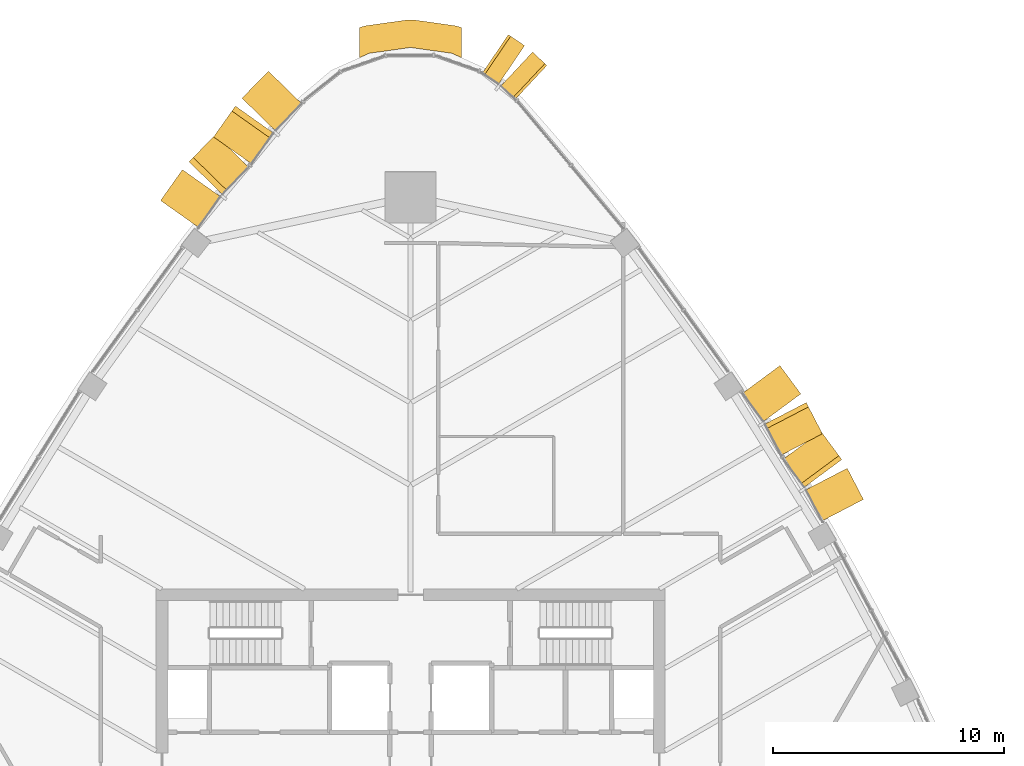
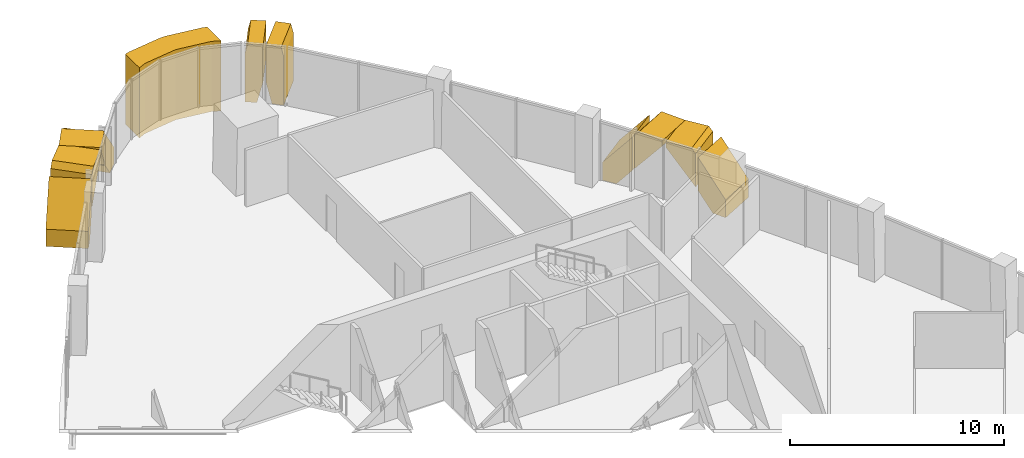
# One storey, part 17 of 18: 11 coverings.
"""IFC4 building model written with IfcOpenShell, lengths in metres."""

from ifc_helpers import new_model, si_unit, direction, frame, origin, place, context, subcontext, project, spatial, polyline, outline, extrude, material, layer, layer_set, type_object, element, save


model = new_model("IFC4")

# Units and contexts
model_context = context("Model", 3, precision=1e-05, world=origin(), true_north=direction((0.0, 1.0)))
body_context = subcontext(model_context, "Body", "Model", "MODEL_VIEW")
ifc_project = project(units=[si_unit("LENGTHUNIT", "METRE"), si_unit("AREAUNIT", "SQUARE_METRE"), si_unit("VOLUMEUNIT", "CUBIC_METRE"), si_unit("PLANEANGLEUNIT", "RADIAN"), si_unit("MASSUNIT", "GRAM", prefix="KILO")], contexts=[model_context])

# Site, building, storey
site_placement = place(None, origin())
site = spatial("IfcSite", under=ifc_project, at=site_placement, CompositionType="ELEMENT")
building_placement = place(site_placement, origin())
building = spatial("IfcBuilding", under=site, at=building_placement, Name="Sierra Prisma Convention Tower", CompositionType="ELEMENT")
storey_placement = place(building_placement, frame((0.0, 0.0, 255.0)))
storey = spatial("IfcBuildingStorey", under=building, at=storey_placement, Name="L57", CompositionType="ELEMENT", Elevation=255.0)

# Coverings
ifc_material_1 = material(Name="Aluminium composite bronze anodised", Category="aluminium")
ifc_layer_1 = layer(ifc_material_1, 1.199951171875)
ifc_layer_set_1 = layer_set([ifc_layer_1], Name="Bronze corner pier")
covering_type_1 = type_object("IfcCoveringType", Name="Bronze corner pier", PredefinedType="CLADDING", material=ifc_layer_set_1)
covering_1_placement = place(storey_placement, frame((0.0, 0.0, -0.60009765625)))
element("IfcCovering", 1, at=covering_1_placement, inside=storey, type_object=covering_type_1, Name="Corner pier N L57.1", PredefinedType="CLADDING", context=body_context, shape_type="SweptSolid", body=[
    extrude(outline(polyline([(-0.167724609375, 32.61376953125), (0.167724609375, 32.61376953125), (1.956298828125, 32.361083984375), (2.199951171875, 32.290771484375), (2.199951171875, 30.988525390625), (1.788330078125, 31.1728515625), (0.0, 31.425537109375), (-1.788330078125, 31.1728515625), (-2.199951171875, 30.988525390625), (-2.199951171875, 32.290771484375), (-1.956298828125, 32.361083984375), (-0.167724609375, 32.61376953125)])), origin(), (0.0, 0.0, 1.0), 4.0),
])
ifc_material_2 = material(Name="Aluminium 6063-T6 bronze anodised", Category="aluminium")
ifc_layer_2 = layer(ifc_material_2, 2.0)
ifc_layer_set_2 = layer_set([ifc_layer_2], Name="Bronze crystal chevron frame")
covering_type_2 = type_object("IfcCoveringType", Name="Bronze crystal chevron frame", PredefinedType="CLADDING", material=ifc_layer_set_2)
covering_2_placement = place(storey_placement, frame((19.587646484375, 11.8759765625, 0.0), z_axis=(0.887341706209, 0.46111245476, -2.2068505e-05), x_axis=(-0.461112454872, 0.887341706425, -1.975e-09)))
element("IfcCovering", 2, at=covering_2_placement, inside=storey, type_object=covering_type_2, Name="CW-2 chevron frame NE4.1.1", PredefinedType="CLADDING", context=body_context, shape_type="SweptSolid", body=[
    extrude(outline(polyline([(0.0, 0.0), (0.7167654807458059, 0.0), (1.5201212837007572, 0.9765625032398421), (1.520121279970396, 2.865478518404873), (-2.0095831386799446e-09, 1.0175781247522102), (0.0, 0.0)])), origin(), (0.0, 0.0, -1.0), 2.0),
])
covering_3_placement = place(storey_placement, frame((18.652099609375, 13.60107421875, 3.0234375), z_axis=(0.804240853938, 0.594303498805, 1.2883971e-05), x_axis=(1.0361816e-05, 7.656989e-06, -0.999999999917)))
element("IfcCovering", 3, at=covering_3_placement, inside=storey, type_object=covering_type_2, Name="CW-2 chevron frame NE4.1.2", PredefinedType="CLADDING", context=body_context, shape_type="SweptSolid", body=[
    extrude(outline(polyline([(0.0, 0.0), (1.8889160154682232, 3.1999481996613876e-21), (0.04101562495400238, 1.5199601810938357), (-0.2565917968962967, 1.5199601810938357), (-0.2565917972592524, 0.21069844911895208), (0.0, 0.0)])), origin(), (0.0, 0.0, -1.0), 2.0),
])
covering_4_placement = place(storey_placement, frame((17.814453125, 14.718017578125, 3.280029296875), z_axis=(0.887351308142, 0.461093975659, -3.9381695e-05), x_axis=(-3.4945398e-05, -1.8158662e-05, -0.999999999225)))
element("IfcCovering", 4, at=covering_4_placement, inside=storey, type_object=covering_type_2, Name="CW-2 chevron frame NE4.2.1", PredefinedType="CLADDING", context=body_context, shape_type="SweptSolid", body=[
    extrude(outline(polyline([(0.0, 0.0), (0.29760742164421766, 0.0), (2.1455078112341996, 1.5201212857485231), (0.2565917970739764, 1.5201212857485231), (-3.3911182832546054e-09, 1.309043417022265), (0.0, 0.0)])), origin(), (0.0, 0.0, -1.0), 2.0),
])
covering_5_placement = place(storey_placement, frame((15.9755859375, 17.66552734375, 0.0), z_axis=(0.804232823795, 0.594314365315, 1.7644772e-05), x_axis=(-1.4190505e-05, -1.0486542e-05, 0.999999999844)))
element("IfcCovering", 5, at=covering_5_placement, inside=storey, type_object=covering_type_2, Name="CW-2 chevron frame NE4.2.2", PredefinedType="CLADDING", context=body_context, shape_type="SweptSolid", body=[
    extrude(outline(polyline([(0.0, 0.0), (1.0175781248415947, 1.7238443965605097e-21), (2.865478515482975, 1.519960180999759), (0.9765625001520206, 1.519960180999759), (-9.049020427155099e-10, 0.7167656896755673), (0.0, 0.0)])), origin(), (0.0, 0.0, -1.0), 2.0),
])
covering_6_placement = place(storey_placement, frame((5.897705078125, 30.647705078125, 0.0), z_axis=(0.683262589721, 0.730172742224, -7.74313e-07), x_axis=(-0.730172742225, 0.683262589721, 2.4e-11)))
element("IfcCovering", 6, at=covering_6_placement, inside=storey, type_object=covering_type_2, Name="CW-2 chevron frame N1.1.1", PredefinedType="CLADDING", context=body_context, shape_type="SweptSolid", body=[
    extrude(outline(polyline([(0.0, 0.0), (0.5573944338996881, 0.0), (0.8482699304538114, 1.194824218727948), (0.8482699305038394, 3.280029296852323), (0.12039103521951999, 3.2800292968888383), (6.680352354766648e-11, 2.7844238281241656), (0.0, 0.0)])), origin(), (0.0, 0.0, -1.0), 2.0),
])
covering_7_placement = place(storey_placement, frame((4.931640625, 31.50390625, 3.280029296875), z_axis=(0.560473356169, 0.828172456087, -2.045891e-06), x_axis=(-1.146667e-06, -1.694351e-06, -0.999999999998)))
element("IfcCovering", 7, at=covering_7_placement, inside=storey, type_object=covering_type_2, Name="CW-2 chevron frame N1.1.2", PredefinedType="CLADDING", context=body_context, shape_type="SweptSolid", body=[
    extrude(outline(polyline([(0.0, 0.0), (2.085205078120636, 0.0), (3.2800292969858647, 0.2906283618819771), (3.280029296883157, 0.8481185987864728), (0.4956054687639842, 0.8481185987864728), (1.0001757499080949e-10, 0.7275195621167324), (0.0, 0.0)])), origin(), (0.0, 0.0, -1.0), 2.0),
])
covering_8_placement = place(storey_placement, frame((-6.148193359375, 30.402587890625, 0.0), z_axis=(-0.715637028635, 0.698472363981, -1.51252e-06), x_axis=(-0.698472363981, -0.715637028635, -9e-12)))
element("IfcCovering", 8, at=covering_8_placement, inside=storey, type_object=covering_type_2, Name="CW-2 chevron frame NW1.1.1", PredefinedType="CLADDING", context=body_context, shape_type="SweptSolid", body=[
    extrude(outline(polyline([(0.0, 0.0), (0.739271115935979, -1.0587911840678754e-22), (1.6358228065683824, 1.0183105468902984), (1.635822806552693, 2.8342285156382214), (-8.433266255848051e-12, 0.9760742187488836), (0.0, 0.0)])), origin(), (0.0, 0.0, -1.0), 2.0),
])
covering_9_placement = place(storey_placement, frame((-7.574462890625, 28.89111328125, 2.981689453125), z_axis=(-0.81611545173, 0.577888884127, -8.3969471e-05), x_axis=(6.8528783e-05, -4.8525024e-05, -0.999999996475)))
element("IfcCovering", 9, at=covering_9_placement, inside=storey, type_object=covering_type_2, Name="CW-2 chevron frame NW1.1.2", PredefinedType="CLADDING", context=body_context, shape_type="SweptSolid", body=[
    extrude(outline(polyline([(0.0, 0.0), (1.8159179623480972, 0.0), (-0.04223633007965462, 1.6357678400920939), (-0.29833984480177805, 1.6357678400920939), (-0.2983398594113366, 0.26249515158305853), (0.0, 0.0)])), origin(), (0.0, 0.0, -1.0), 2.0),
])
covering_10_placement = place(storey_placement, frame((-8.4404296875, 27.651611328125, 3.280029296875), z_axis=(-0.715705566796, 0.698402134057, -2.829978e-05), x_axis=(2.025431e-05, -1.9764626e-05, -0.9999999996)))
element("IfcCovering", 10, at=covering_10_placement, inside=storey, type_object=covering_type_2, Name="CW-2 chevron frame NW1.2.1", PredefinedType="CLADDING", context=body_context, shape_type="SweptSolid", body=[
    extrude(outline(polyline([(0.0, 0.0), (0.25610351552244626, 4.33856231284063e-22), (2.114257811892303, 1.635997531354242), (0.2983398438694668, 1.635997531354242), (-1.659435436332762e-09, 1.373401513399907), (0.0, 0.0)])), origin(), (0.0, 0.0, -1.0), 2.0),
])
covering_11_placement = place(storey_placement, frame((-10.81201171875, 24.804931640625, 0.0), z_axis=(-0.816159801015, 0.577826253401, 9.343007e-06), x_axis=(7.625387e-06, -5.398635e-06, 0.999999999956)))
element("IfcCovering", 11, at=covering_11_placement, inside=storey, type_object=covering_type_2, Name="CW-2 chevron frame NW1.2.2", PredefinedType="CLADDING", context=body_context, shape_type="SweptSolid", body=[
    extrude(outline(polyline([(0.0, 0.0), (0.9760742187073984, 0.0), (2.834228515590188, 1.6359670911166029), (1.0183105469194451, 1.6359670911166029), (-2.4371797501294645e-10, 0.7394392020736497), (0.0, 0.0)])), origin(), (0.0, 0.0, -1.0), 2.0),
])

save(model, "model.ifc")
